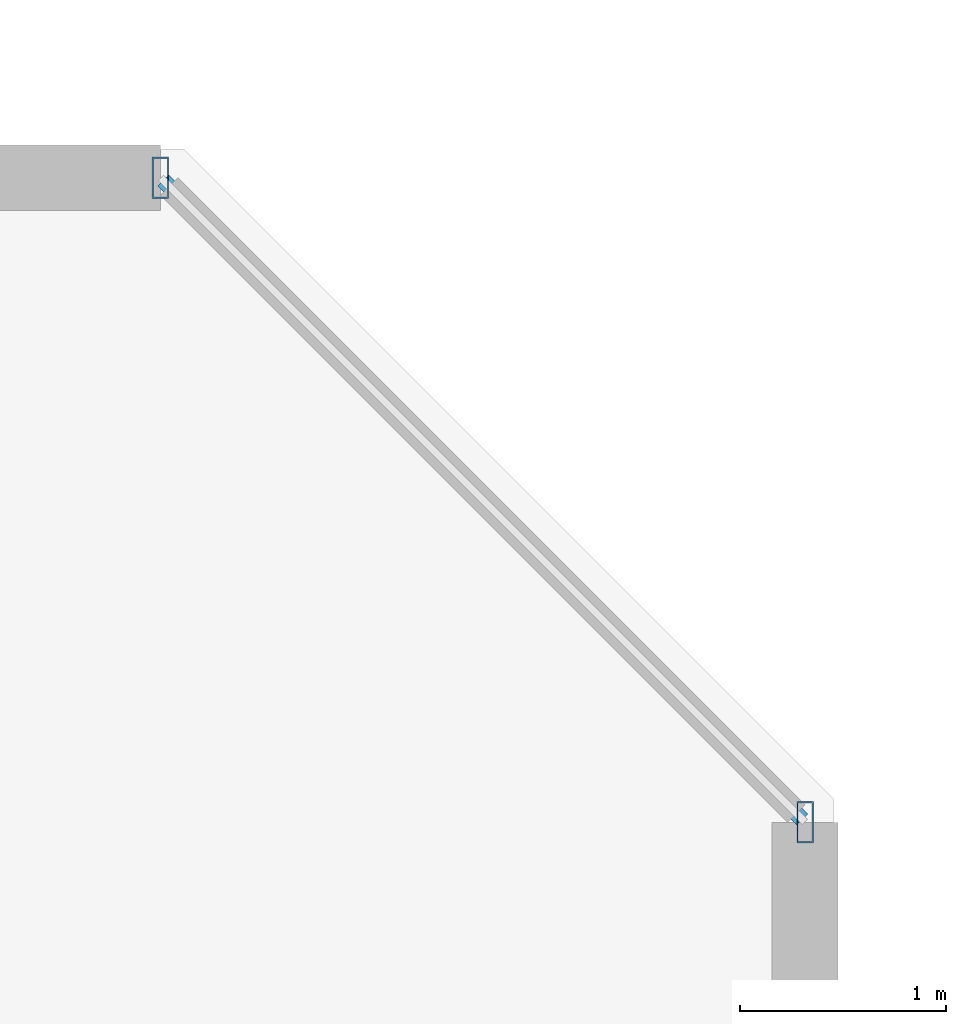
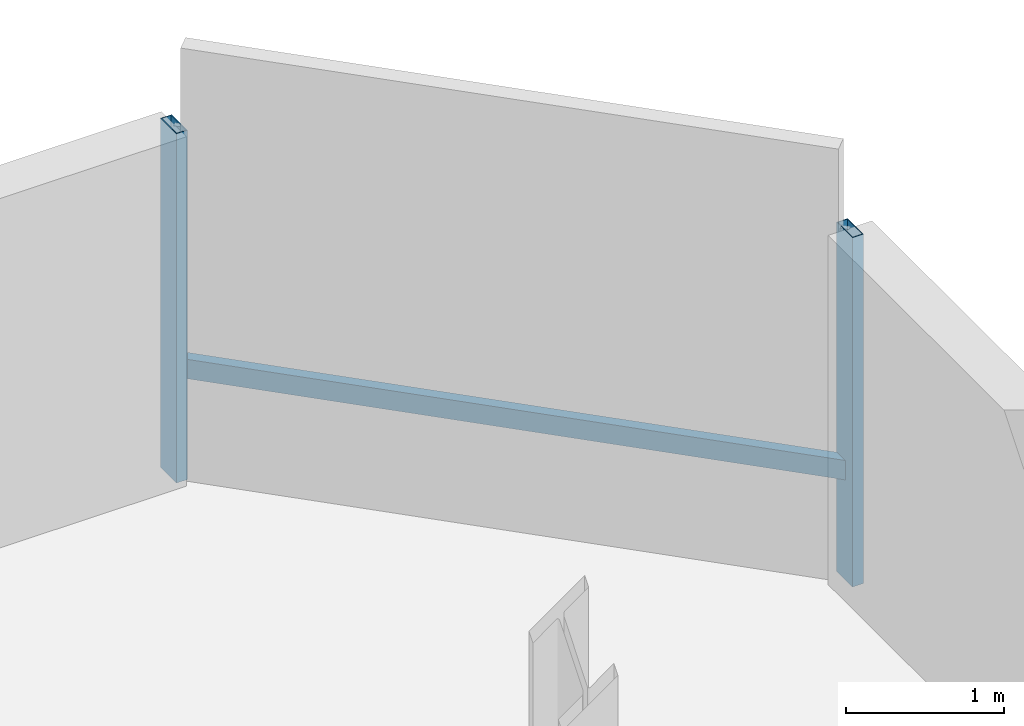
# One storey, part 10 of 33: 3 members, 1 element without a shape of its own.
"""IFC4 building model written with IfcOpenShell, lengths in metres."""

from ifc_helpers import new_model, si_unit, direction, frame, origin, origin_2d, place, context, subcontext, project, spatial, hollow_rectangle, extrude, material, material_profile, profile_set, type_object, element, aggregate, save


model = new_model("IFC4")

# Units and contexts
model_context = context("Model", 3, precision=1e-05, world=origin(), true_north=direction((0.0, 1.0)))
body_context = subcontext(model_context, "Body", "Model", "MODEL_VIEW")
ifc_project = project(units=[si_unit("LENGTHUNIT", "METRE"), si_unit("AREAUNIT", "SQUARE_METRE"), si_unit("VOLUMEUNIT", "CUBIC_METRE"), si_unit("PLANEANGLEUNIT", "RADIAN"), si_unit("MASSUNIT", "GRAM", prefix="KILO")], contexts=[model_context])

# Site, building, storey
site_placement = place(None, origin())
site = spatial("IfcSite", under=ifc_project, at=site_placement, CompositionType="ELEMENT")
building_placement = place(site_placement, origin())
building = spatial("IfcBuilding", under=site, at=building_placement, Name="Thornwick Lancets Civic Towers", CompositionType="ELEMENT")
storey_placement = place(building_placement, frame((0.0, 0.0, 163.5)))
storey = spatial("IfcBuildingStorey", under=building, at=storey_placement, Name="L43", CompositionType="ELEMENT", Elevation=163.5)

# Curtain wall, members
ifc_material_1 = material(Name="Mid-zone chamfered-corner unitised glass curtain wall", Category="glass")
curtain_wall_type = type_object("IfcCurtainWallType", Name="CW_SYS_04", PredefinedType="NOTDEFINED", material=ifc_material_1)
curtain_wall_placement = place(storey_placement, origin())
curtain_wall = element("IfcCurtainWall", 1, at=curtain_wall_placement, inside=storey, type_object=curtain_wall_type, Name="L43 Curtain Wall CW-L43-A-E3", PredefinedType="NOTDEFINED")
ifc_material_2 = material(Name="Thermally broken bronze aluminium S355", Category="steel")
ifc_material_profile_1 = material_profile(ifc_material_2, hollow_rectangle(XDim=0.080078125, YDim=0.199951171875, WallThickness=0.006103515625, at=origin_2d()), Name="RHS 200x80x6")
ifc_profile_set_1 = profile_set([ifc_material_profile_1], Name="Thermally broken bronze aluminium S355")
member_type_1 = type_object("IfcMemberType", Name="CW_MUL_200", PredefinedType="MULLION", material=ifc_profile_set_1)
member_1_placement = place(storey_placement, frame((49.2626953125, 41.62939453125, 0.0), z_axis=(0.0, 0.0, 1.0), x_axis=(1.0, 0.0, 0.0)))
member_1 = element("IfcMember", 2, at=member_1_placement, type_object=member_type_1, Name="CW-L43-A-E3 Mullion 0", PredefinedType="MULLION", context=body_context, shape_type="SweptSolid", body=[
    extrude(hollow_rectangle(XDim=0.080078125, YDim=0.199951171875, WallThickness=0.006103515625, at=origin_2d()), origin(), (0.0, 0.0, 1.0), 2.699951171875),
])
member_2_placement = place(storey_placement, frame((46.12939453125, 44.7626953125, 0.0), z_axis=(0.0, 0.0, 1.0), x_axis=(1.0, 0.0, 0.0)))
member_2 = element("IfcMember", 3, at=member_2_placement, type_object=member_type_1, Name="CW-L43-A-E3 Mullion 1", PredefinedType="MULLION", context=body_context, shape_type="SweptSolid", body=[
    extrude(hollow_rectangle(XDim=0.080078125, YDim=0.199951171875, WallThickness=0.006103515625, at=origin_2d()), origin(), (0.0, 0.0, 1.0), 2.699951171875),
])
ifc_material_profile_2 = material_profile(ifc_material_2, hollow_rectangle(XDim=0.074951171875, YDim=0.14990234375, WallThickness=0.0048828125, at=origin_2d()), Name="RHS 150x75x5")
ifc_profile_set_2 = profile_set([ifc_material_profile_2], Name="Thermally broken bronze aluminium S355")
member_type_2 = type_object("IfcMemberType", Name="CW_TRN_150", PredefinedType="USERDEFINED", material=ifc_profile_set_2)
member_3_placement = place(storey_placement, frame((49.248779296875, 41.6435546875, 0.85009765625), z_axis=(-0.707106781187, 0.707106781187, 0.0), x_axis=(-0.707106781187, -0.707106781187, 0.0)))
member_3 = element("IfcMember", 4, at=member_3_placement, type_object=member_type_2, Name="CW-L43-A-E3 Transom 0", ObjectType="TRANSOM", PredefinedType="USERDEFINED", context=body_context, shape_type="SweptSolid", body=[
    extrude(hollow_rectangle(XDim=0.074951171875, YDim=0.14990234375, WallThickness=0.0048828125, at=origin_2d()), origin(), (0.0, 0.0, 1.0), 4.391357421875),
])
aggregate(curtain_wall, [member_1, member_2, member_3])

save(model, "model.ifc")
